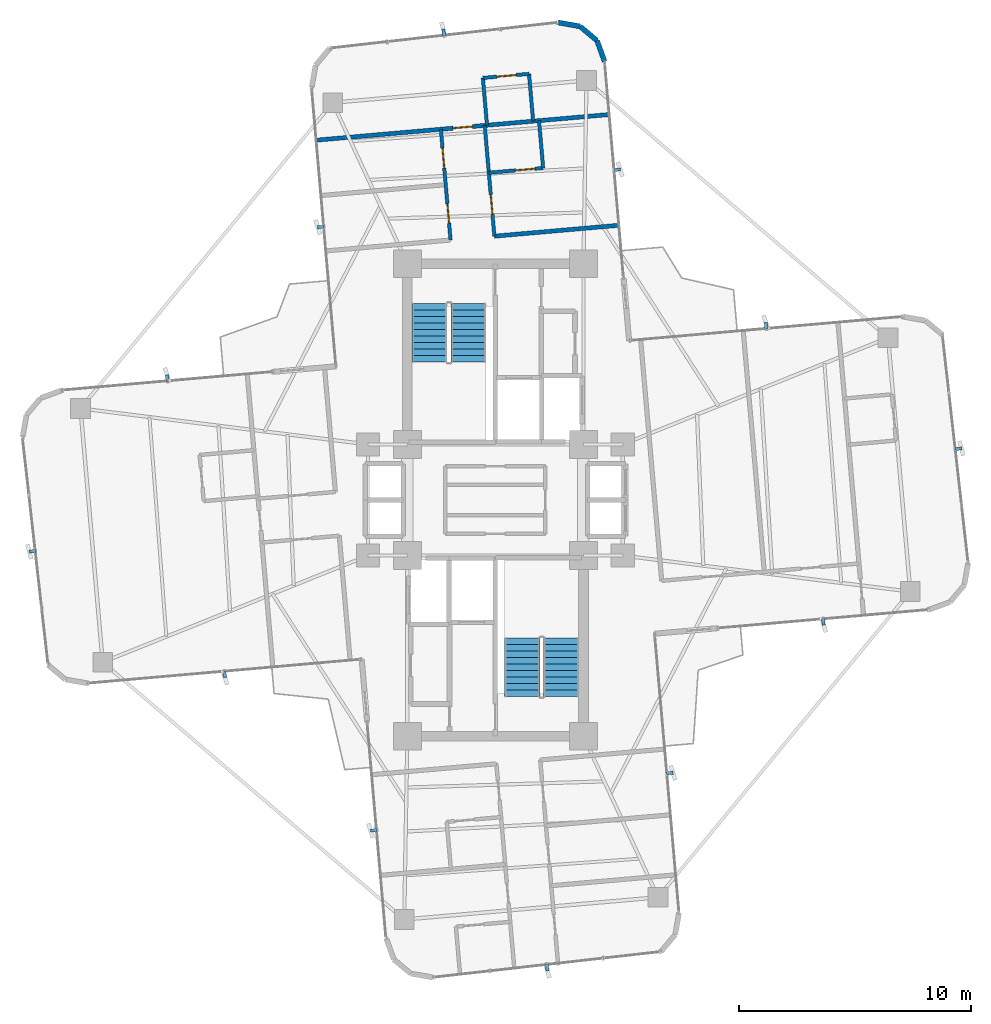
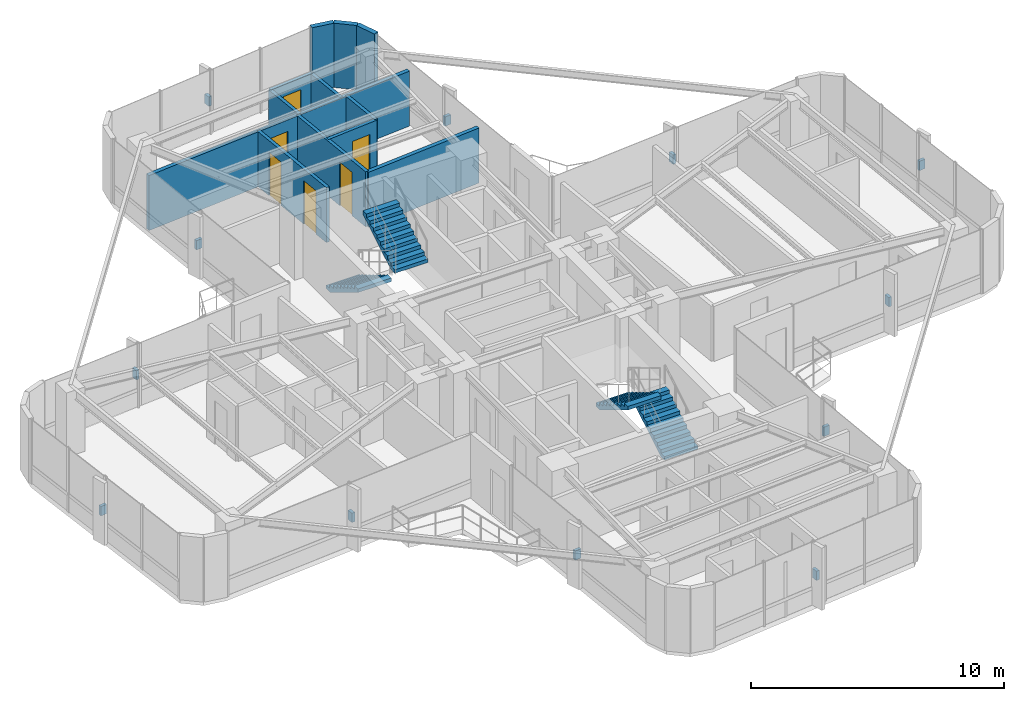
# One storey, part 23 of 24: 12 discrete accessories, 12 walls, 6 doors, 4 stair flights, 6 openings, 2 elements without a shape of their own.
"""IFC4 building model written with IfcOpenShell, lengths in metres."""

from ifc_helpers import new_model, si_unit, direction, frame, frame_2d, origin, origin_2d, place, context, subcontext, project, spatial, polyline, rectangle, outline, extrude, source, transform, mapped, material, layer, layer_set, type_object, element, fill, aggregate, save


model = new_model("IFC4")

# Units and contexts
model_context = context("Model", 3, precision=1e-05, world=origin(), true_north=direction((0.0, 1.0)))
body_context = subcontext(model_context, "Body", "Model", "MODEL_VIEW")
ifc_project = project(units=[si_unit("LENGTHUNIT", "METRE"), si_unit("AREAUNIT", "SQUARE_METRE"), si_unit("VOLUMEUNIT", "CUBIC_METRE"), si_unit("PLANEANGLEUNIT", "RADIAN"), si_unit("MASSUNIT", "GRAM", prefix="KILO")], contexts=[model_context])

# Site, building, storey
site_placement = place(None, origin())
site = spatial("IfcSite", under=ifc_project, at=site_placement, CompositionType="ELEMENT")
building_placement = place(site_placement, origin())
building = spatial("IfcBuilding", under=site, at=building_placement, Name="Sahyath Konkavel Grand Hotel", CompositionType="ELEMENT")
storey_placement = place(building_placement, frame((0.0, 0.0, 157.300048828125)))
storey = spatial("IfcBuildingStorey", under=building, at=storey_placement, Name="L43", CompositionType="ELEMENT", Elevation=157.300048828125)

# Walls
ifc_material_1 = material(Name="Warm Buff Sandstone Insulated Concrete C40/50", Category="masonry")
ifc_layer_1 = layer(ifc_material_1, 0.219970703125)
ifc_layer_set_1 = layer_set([ifc_layer_1], Name="Warm Buff Sandstone Insulated Concrete C40/50")
wall_type_1 = type_object("IfcWallType", Name="WLL-BALC-THRESH", PredefinedType="STANDARD", material=ifc_layer_set_1)
wall_1_placement = place(storey_placement, frame((4.7177734375, 18.93310546875, 0.0), z_axis=(0.0, 0.0, 1.0), x_axis=(-0.34188635151, 0.939741306239, 0.0)))
element("IfcWall", 1, at=wall_1_placement, inside=storey, type_object=wall_type_1, Name="L43 Rounded Corner Sandstone Pier 9", PredefinedType="STANDARD", context=body_context, shape_type="SweptSolid", body=[
    extrude(rectangle(XDim=0.95751953125, YDim=0.219970703125, at=frame_2d((0.478759765625, 0.0))), origin(), (0.0, 0.0, 1.0), 3.10986328125),
])
for number, where, z_axis, x_axis, name in (
    (2, (4.390380859375, 19.8330078125, 0.0), (0.0, 0.0, 1.0), (-0.765980978054, 0.642863236823, 0.0), "L43 Rounded Corner Sandstone Pier 10"),
    (3, (3.65673828125, 20.44873046875, 0.0), (0.0, 0.0, 1.0), (-0.984814340885, 0.173610811841, 0.0), "L43 Rounded Corner Sandstone Pier 11"),
):
    element("IfcWall", number, at=place(storey_placement, frame(where, z_axis=z_axis, x_axis=x_axis)), inside=storey, type_object=wall_type_1, Name=name, PredefinedType="STANDARD", context=body_context, shape_type="SweptSolid", body=[
        extrude(rectangle(XDim=0.957763671875, YDim=0.219970703125, at=frame_2d((0.47900390625, 0.0))), origin(), (0.0, 0.0, 1.0), 3.10986328125),
    ])
ifc_material_2 = material(Name="Twin-Stud Acoustic Gypsum Plasterboard Partition")
ifc_layer_2 = layer(ifc_material_2, 0.179931640625)
ifc_layer_set_2 = layer_set([ifc_layer_2], Name="Twin-Stud Acoustic Gypsum Plasterboard Partition")
wall_type_2 = type_object("IfcWallType", Name="WLL-DEMISE-180", PredefinedType="PARTITIONING", material=ifc_layer_set_2)
wall_2_placement = place(storey_placement, frame((5.286865234375, 11.85595703125, 0.0), z_axis=(0.0, 0.0, 1.0), x_axis=(-0.996194212812, -0.087161289348, 0.0)))
element("IfcWall", 4, at=wall_2_placement, inside=storey, type_object=wall_type_2, Name="L43 Partition N-INR", PredefinedType="PARTITIONING", context=body_context, shape_type="SweptSolid", body=[
    extrude(rectangle(XDim=5.349853515625, YDim=0.179931640625, at=frame_2d((2.6748046875, 0.0))), origin(), (0.0, 0.0, 1.0), 2.659912109375),
])

# Wall, opening, door
wall_3_placement = place(storey_placement, frame((4.868408203125, 16.6376953125, 0.0), z_axis=(0.0, 0.0, 1.0), x_axis=(-0.996194790044, -0.087154691724, 0.0)))
wall_3 = element("IfcWall", 5, at=wall_3_placement, inside=storey, type_object=wall_type_2, Name="L43 Partition N-NTIP-END", PredefinedType="PARTITIONING", context=body_context, shape_type="SweptSolid", body=[
    extrude(rectangle(XDim=12.599853515625, YDim=0.179931640625, at=frame_2d((6.2998046875, 0.0))), origin(), (0.0, 0.0, 1.0), 2.659912109375),
])
opening_1_placement = place(wall_3_placement, frame((5.875, 0.0, 0.0)))
opening_1 = element("IfcOpeningElement", 6, at=opening_1_placement, cuts=wall_3, Name="Opening D-F06D", PredefinedType="OPENING", context=body_context, shape_type="SweptSolid", body=[
    extrude(rectangle(XDim=0.85009765625, YDim=2.10009765625, at=frame_2d((0.425048828125, 1.050048828125))), frame((0.0, 0.10009765625, 0.0), z_axis=(0.0, -1.0, 0.0), x_axis=(1.0, 0.0, 0.0)), (0.0, 0.0, 1.0), 0.199951171875),
])
ifc_material_3 = material(Name="Fire-Rated Shaft Access Door")
door_type_1 = type_object("IfcDoorType", Name="DR-FD60-850", OperationType="NOTDEFINED", PredefinedType="DOOR", material=ifc_material_3)
shared_shape_1 = source(origin(), body_context, "Body", "SweptSolid", [
    extrude(rectangle(XDim=0.85009765625, YDim=0.050048828125, at=origin_2d()), origin(), (0.0, 0.0, 1.0), 2.10009765625),
])
door_1_placement = place(opening_1_placement, frame((0.425048828125, 0.0, 0.0)))
door_1 = element("IfcDoor", 7, at=door_1_placement, inside=storey, type_object=door_type_1, Name="L43 Door N-NTIP-ED", OperationType="SINGLE_SWING_LEFT", OverallHeight=2.10009765625, OverallWidth=0.85009765625, PredefinedType="DOOR", context=body_context, shape_type="MappedRepresentation", body=[
    mapped(shared_shape_1, transform((0.0, 0.0, 0.0), scale=1.0)),
])
fill(opening_1, door_1)

# Wall, openings, doors
ifc_material_4 = material(Name="Fire-Rated Gypsum Plasterboard Partition")
ifc_layer_3 = layer(ifc_material_4, 0.14990234375)
ifc_layer_set_3 = layer_set([ifc_layer_3], Name="Fire-Rated Gypsum Plasterboard Partition")
wall_type_3 = type_object("IfcWallType", Name="WLL-PART-150", PredefinedType="PARTITIONING", material=ifc_layer_set_3)
wall_4_placement = place(storey_placement, frame((-1.935546875, 11.22412109375, 0.0), z_axis=(0.0, 0.0, 1.0), x_axis=(-0.087182724829, 0.996192337097, 0.0)))
wall_4 = element("IfcWall", 8, at=wall_4_placement, inside=storey, type_object=wall_type_3, Name="L43 Partition N-CL", PredefinedType="PARTITIONING", context=body_context, shape_type="SweptSolid", body=[
    extrude(rectangle(XDim=4.7998046875, YDim=0.14990234375, at=frame_2d((2.39990234375, 0.0))), origin(), (0.0, 0.0, 1.0), 2.659912109375),
])
opening_2_placement = place(wall_4_placement, frame((0.72509765625, 0.0, 0.0)))
opening_2 = element("IfcOpeningElement", 9, at=opening_2_placement, cuts=wall_4, Name="Opening D-F06D", PredefinedType="OPENING", context=body_context, shape_type="SweptSolid", body=[
    extrude(rectangle(XDim=0.85009765625, YDim=2.10009765625, at=frame_2d((0.425048828125, 1.050048828125))), frame((0.0, 0.0849609375, 0.0), z_axis=(0.0, -1.0, 0.0), x_axis=(1.0, 0.0, 0.0)), (0.0, 0.0, 1.0), 0.169921875),
])
opening_3_placement = place(wall_4_placement, frame((3.125, 0.0, 0.0)))
opening_3 = element("IfcOpeningElement", 10, at=opening_3_placement, cuts=wall_4, Name="Opening D-F06D", PredefinedType="OPENING", context=body_context, shape_type="SweptSolid", body=[
    extrude(rectangle(XDim=0.85009765625, YDim=2.10009765625, at=frame_2d((0.425048828125, 1.050048828125))), frame((0.0, 0.0849609375, 0.0), z_axis=(0.0, -1.0, 0.0), x_axis=(1.0, 0.0, 0.0)), (0.0, 0.0, 1.0), 0.169921875),
])
door_2_placement = place(opening_2_placement, frame((0.425048828125, 0.0, 0.0)))
door_2 = element("IfcDoor", 11, at=door_2_placement, inside=storey, type_object=door_type_1, Name="L43 Door N-N4L1-D", OperationType="SINGLE_SWING_RIGHT", OverallHeight=2.10009765625, OverallWidth=0.85009765625, PredefinedType="DOOR", context=body_context, shape_type="MappedRepresentation", body=[
    mapped(shared_shape_1, transform((0.0, 0.0, 0.0), scale=1.0)),
])
fill(opening_2, door_2)
door_3_placement = place(opening_3_placement, frame((0.425048828125, 0.0, 0.0)))
door_3 = element("IfcDoor", 12, at=door_3_placement, inside=storey, type_object=door_type_1, Name="L43 Door N-N4L2-D", OperationType="SINGLE_SWING_LEFT", OverallHeight=2.10009765625, OverallWidth=0.85009765625, PredefinedType="DOOR", context=body_context, shape_type="MappedRepresentation", body=[
    mapped(shared_shape_1, transform((0.0, 0.0, 0.0), scale=1.0)),
])
fill(opening_3, door_3)

# Wall, opening, door
wall_5_placement = place(storey_placement, frame((-0.042724609375, 11.3896484375, 0.0), z_axis=(0.0, 0.0, 1.0), x_axis=(-0.087178307383, 0.996192723684, 0.0)))
wall_5 = element("IfcWall", 13, at=wall_5_placement, inside=storey, type_object=wall_type_3, Name="L43 Partition N-CR", PredefinedType="PARTITIONING", context=body_context, shape_type="SweptSolid", body=[
    extrude(rectangle(XDim=4.800048828125, YDim=0.14990234375, at=frame_2d((2.39990234375, 0.0))), origin(), (0.0, 0.0, 1.0), 2.659912109375),
])
opening_4_placement = place(wall_5_placement, frame((0.949951171875, 0.0, 0.0)))
opening_4 = element("IfcOpeningElement", 14, at=opening_4_placement, cuts=wall_5, Name="Opening D-F06D", PredefinedType="OPENING", context=body_context, shape_type="SweptSolid", body=[
    extrude(rectangle(XDim=0.85009765625, YDim=2.10009765625, at=frame_2d((0.425048828125, 1.050048828125))), frame((0.0, 0.0849609375, 0.0), z_axis=(0.0, -1.0, 0.0), x_axis=(1.0, 0.0, 0.0)), (0.0, 0.0, 1.0), 0.169921875),
])
door_4_placement = place(opening_4_placement, frame((0.425048828125, 0.0, 0.0)))
door_4 = element("IfcDoor", 15, at=door_4_placement, inside=storey, type_object=door_type_1, Name="L43 Door N-N4R1-ED", OperationType="SINGLE_SWING_LEFT", OverallHeight=2.10009765625, OverallWidth=0.85009765625, PredefinedType="DOOR", context=body_context, shape_type="MappedRepresentation", body=[
    mapped(shared_shape_1, transform((0.0, 0.0, 0.0), scale=1.0)),
])
fill(opening_4, door_4)

wall_6_placement = place(storey_placement, frame((-0.282470703125, 14.129150390625, 0.0), z_axis=(0.0, 0.0, 1.0), x_axis=(0.996197656711, 0.087121918963, 0.0)))
wall_6 = element("IfcWall", 16, at=wall_6_placement, inside=storey, type_object=wall_type_3, Name="L43 Partition N-N4R1-BS", PredefinedType="PARTITIONING", context=body_context, shape_type="SweptSolid", body=[
    extrude(rectangle(XDim=2.35400390625, YDim=0.14990234375, at=frame_2d((1.177001953125, 0.0))), origin(), (0.0, 0.0, 1.0), 2.659912109375),
])
opening_5_placement = place(wall_6_placement, frame((1.154052734375, 0.0, 0.0)))
opening_5 = element("IfcOpeningElement", 17, at=opening_5_placement, cuts=wall_6, Name="Opening D-BT85", PredefinedType="OPENING", context=body_context, shape_type="SweptSolid", body=[
    extrude(rectangle(XDim=0.85009765625, YDim=2.10009765625, at=frame_2d((0.425048828125, 1.050048828125))), frame((0.0, 0.0849609375, 0.0), z_axis=(0.0, -1.0, 0.0), x_axis=(1.0, 0.0, 0.0)), (0.0, 0.0, 1.0), 0.169921875),
])
ifc_material_5 = material(Name="Moisture-Resistant Teak Bathroom Door")
door_type_2 = type_object("IfcDoorType", Name="DR-BATH-850", OperationType="NOTDEFINED", PredefinedType="DOOR", material=ifc_material_5)
door_5_placement = place(opening_5_placement, frame((0.425048828125, 0.0, 0.0)))
door_5 = element("IfcDoor", 18, at=door_5_placement, inside=storey, type_object=door_type_2, Name="L43 Door N-N4R1-BD", OperationType="SINGLE_SWING_RIGHT", OverallHeight=2.10009765625, OverallWidth=0.85009765625, PredefinedType="DOOR", context=body_context, shape_type="MappedRepresentation", body=[
    mapped(shared_shape_1, transform((0.0, 0.0, 0.0), scale=1.0)),
])
fill(opening_5, door_5)

# Walls
for number, where, z_axis, x_axis, name in (
    (19, (2.0625, 14.334228515625, 0.0), (0.0, 0.0, 1.0), (-0.087174336889, 0.99619307114, 0.0), "L43 Partition N-N4R1-BF"),
    (20, (-0.361572265625, 16.18017578125, 0.0), (0.0, 0.0, 1.0), (-0.087174336889, 0.99619307114, 0.0), "L43 Partition N-NTIP-BN"),
):
    element("IfcWall", number, at=place(storey_placement, frame(where, z_axis=z_axis, x_axis=x_axis)), inside=storey, type_object=wall_type_3, Name=name, PredefinedType="PARTITIONING", context=body_context, shape_type="SweptSolid", body=[
        extrude(rectangle(XDim=2.050048828125, YDim=0.14990234375, at=frame_2d((1.02490234375, 0.0))), origin(), (0.0, 0.0, 1.0), 2.659912109375),
    ])
wall_7_placement = place(storey_placement, frame((1.630859375, 16.3544921875, 0.0), z_axis=(0.0, 0.0, 1.0), x_axis=(-0.087184680235, 0.996192165966, 0.0)))
element("IfcWall", 21, at=wall_7_placement, inside=storey, type_object=wall_type_3, Name="L43 Partition N-NTIP-BS", PredefinedType="PARTITIONING", context=body_context, shape_type="SweptSolid", body=[
    extrude(rectangle(XDim=2.0498046875, YDim=0.14990234375, at=frame_2d((1.02490234375, 0.0))), origin(), (0.0, 0.0, 1.0), 2.659912109375),
])

# Wall, opening, door
wall_8_placement = place(storey_placement, frame((1.4521484375, 18.396484375, 0.0), z_axis=(0.0, 0.0, 1.0), x_axis=(-0.996205236158, -0.087035208109, 0.0)))
wall_8 = element("IfcWall", 22, at=wall_8_placement, inside=storey, type_object=wall_type_3, Name="L43 Partition N-NTIP-BE", PredefinedType="PARTITIONING", context=body_context, shape_type="SweptSolid", body=[
    extrude(rectangle(XDim=2.0, YDim=0.14990234375, at=frame_2d((1.0, 0.0))), origin(), (0.0, 0.0, 1.0), 2.659912109375),
])
opening_6_placement = place(wall_8_placement, frame((0.550048828125, 0.0, 0.0)))
opening_6 = element("IfcOpeningElement", 23, at=opening_6_placement, cuts=wall_8, Name="Opening D-BT85", PredefinedType="OPENING", context=body_context, shape_type="SweptSolid", body=[
    extrude(rectangle(XDim=0.85009765625, YDim=2.10009765625, at=frame_2d((0.425048828125, 1.050048828125))), frame((0.0, 0.0849609375, 0.0), z_axis=(0.0, -1.0, 0.0), x_axis=(1.0, 0.0, 0.0)), (0.0, 0.0, 1.0), 0.169921875),
])
door_6_placement = place(opening_6_placement, frame((0.425048828125, 0.0, 0.0)))
door_6 = element("IfcDoor", 24, at=door_6_placement, inside=storey, type_object=door_type_2, Name="L43 Door N-NTIP-BD", OperationType="SINGLE_SWING_RIGHT", OverallHeight=2.10009765625, OverallWidth=0.85009765625, PredefinedType="DOOR", context=body_context, shape_type="MappedRepresentation", body=[
    mapped(shared_shape_1, transform((0.0, 0.0, 0.0), scale=1.0)),
])
fill(opening_6, door_6)

# Stair, stair flights
ifc_material_6 = material(Name="Concrete C40/50", Category="concrete")
stair_type = type_object("IfcStairType", Name="STR-ST16-335", PredefinedType="HALF_TURN_STAIR", material=ifc_material_6)
stair_1_placement = place(storey_placement, origin())
stair_1 = element("IfcStair", 25, at=stair_1_placement, inside=storey, type_object=stair_type, Name="L43 North Core Smokeproof Exit Stair ST-1", PredefinedType="HALF_TURN_STAIR")
stair_flight_type = type_object("IfcStairFlightType", Name="STF-ST16-335", PredefinedType="STRAIGHT", material=ifc_material_6)
stair_flight_1_placement = place(storey_placement, frame((-2.840087890625, 8.47998046875, 0.0), z_axis=(0.0, 0.0, 1.0), x_axis=(0.0, -1.0, 0.0)))
stair_flight_1 = element("IfcStairFlight", 26, at=stair_flight_1_placement, type_object=stair_flight_type, Name="ST-1 flight 1", NumberOfRisers=10, NumberOfTreads=9, PredefinedType="STRAIGHT", RiserHeight=0.1675, TreadLength=0.28, context=body_context, shape_type="SweptSolid", body=[
    extrude(outline(polyline([(0.0, 0.0), (0.0, 0.16748046875), (0.280029296875, 0.16748046875), (0.280029296875, 0.3349609375), (0.56005859375, 0.3349609375), (0.56005859375, 0.50244140625), (0.840087890625, 0.50244140625), (0.840087890625, 0.669921875), (1.1201171875, 0.669921875), (1.1201171875, 0.83740234375), (1.39990234375, 0.83740234375), (1.39990234375, 1.0048828125), (1.679931640625, 1.0048828125), (1.679931640625, 1.172607421875), (1.9599609375, 1.172607421875), (1.9599609375, 1.340087890625), (2.239990234375, 1.340087890625), (2.239990234375, 1.507568359375), (2.52001953125, 1.507568359375), (2.52001953125, 1.675048828125), (2.52001953125, 1.332763671875), (0.2919921875, 0.0), (0.0, 0.0)])), frame((0.0, 0.760009765625, 0.0), z_axis=(0.0, -1.0, 0.0), x_axis=(1.0, 0.0, 0.0)), (0.0, 0.0, 1.0), 1.52001953125),
])
stair_flight_2_placement = place(storey_placement, frame((-1.159912109375, 5.9599609375, 1.675048828125), z_axis=(0.0, 0.0, 1.0), x_axis=(0.0, 1.0, 0.0)))
stair_flight_2 = element("IfcStairFlight", 27, at=stair_flight_2_placement, type_object=stair_flight_type, Name="ST-1 flight 2", NumberOfRisers=10, NumberOfTreads=9, PredefinedType="STRAIGHT", RiserHeight=0.1675, TreadLength=0.28, context=body_context, shape_type="SweptSolid", body=[
    extrude(outline(polyline([(0.0, 0.0), (0.0, 0.16748046875), (0.280029296875, 0.16748046875), (0.280029296875, 0.3349609375), (0.56005859375, 0.3349609375), (0.56005859375, 0.50244140625), (0.840087890625, 0.50244140625), (0.840087890625, 0.669921875), (1.1201171875, 0.669921875), (1.1201171875, 0.83740234375), (1.39990234375, 0.83740234375), (1.39990234375, 1.0048828125), (1.679931640625, 1.0048828125), (1.679931640625, 1.172607421875), (1.9599609375, 1.172607421875), (1.9599609375, 1.340087890625), (2.239990234375, 1.340087890625), (2.239990234375, 1.507568359375), (2.52001953125, 1.507568359375), (2.52001953125, 1.675048828125), (2.52001953125, 1.332763671875), (0.2919921875, 0.0), (0.0, 0.0)])), frame((0.0, 0.760009765625, 0.0), z_axis=(0.0, -1.0, 0.0), x_axis=(1.0, 0.0, 0.0)), (0.0, 0.0, 1.0), 1.52001953125),
])
aggregate(stair_1, [stair_flight_1, stair_flight_2])

stair_2_placement = place(storey_placement, origin())
stair_2 = element("IfcStair", 28, at=stair_2_placement, inside=storey, type_object=stair_type, Name="L43 South Core Smokeproof Exit Stair ST-2", PredefinedType="HALF_TURN_STAIR")
stair_flight_3_placement = place(storey_placement, frame((2.840087890625, -8.47998046875, 0.0), z_axis=(0.0, 0.0, 1.0), x_axis=(0.0, 1.0, 0.0)))
stair_flight_3 = element("IfcStairFlight", 29, at=stair_flight_3_placement, type_object=stair_flight_type, Name="ST-2 flight 1", NumberOfRisers=10, NumberOfTreads=9, PredefinedType="STRAIGHT", RiserHeight=0.1675, TreadLength=0.28, context=body_context, shape_type="SweptSolid", body=[
    extrude(outline(polyline([(0.0, 0.0), (0.0, 0.16748046875), (0.280029296875, 0.16748046875), (0.280029296875, 0.3349609375), (0.56005859375, 0.3349609375), (0.56005859375, 0.50244140625), (0.840087890625, 0.50244140625), (0.840087890625, 0.669921875), (1.1201171875, 0.669921875), (1.1201171875, 0.83740234375), (1.39990234375, 0.83740234375), (1.39990234375, 1.0048828125), (1.679931640625, 1.0048828125), (1.679931640625, 1.172607421875), (1.9599609375, 1.172607421875), (1.9599609375, 1.340087890625), (2.239990234375, 1.340087890625), (2.239990234375, 1.507568359375), (2.52001953125, 1.507568359375), (2.52001953125, 1.675048828125), (2.52001953125, 1.332763671875), (0.2919921875, 0.0), (0.0, 0.0)])), frame((0.0, 0.760009765625, 0.0), z_axis=(0.0, -1.0, 0.0), x_axis=(1.0, 0.0, 0.0)), (0.0, 0.0, 1.0), 1.52001953125),
])
stair_flight_4_placement = place(storey_placement, frame((1.159912109375, -5.9599609375, 1.675048828125), z_axis=(0.0, 0.0, 1.0), x_axis=(0.0, -1.0, 0.0)))
stair_flight_4 = element("IfcStairFlight", 30, at=stair_flight_4_placement, type_object=stair_flight_type, Name="ST-2 flight 2", NumberOfRisers=10, NumberOfTreads=9, PredefinedType="STRAIGHT", RiserHeight=0.1675, TreadLength=0.28, context=body_context, shape_type="SweptSolid", body=[
    extrude(outline(polyline([(0.0, 0.0), (0.0, 0.16748046875), (0.280029296875, 0.16748046875), (0.280029296875, 0.3349609375), (0.56005859375, 0.3349609375), (0.56005859375, 0.50244140625), (0.840087890625, 0.50244140625), (0.840087890625, 0.669921875), (1.1201171875, 0.669921875), (1.1201171875, 0.83740234375), (1.39990234375, 0.83740234375), (1.39990234375, 1.0048828125), (1.679931640625, 1.0048828125), (1.679931640625, 1.172607421875), (1.9599609375, 1.172607421875), (1.9599609375, 1.340087890625), (2.239990234375, 1.340087890625), (2.239990234375, 1.507568359375), (2.52001953125, 1.507568359375), (2.52001953125, 1.675048828125), (2.52001953125, 1.332763671875), (0.2919921875, 0.0), (0.0, 0.0)])), frame((0.0, 0.760009765625, 0.0), z_axis=(0.0, -1.0, 0.0), x_axis=(1.0, 0.0, 0.0)), (0.0, 0.0, 1.0), 1.52001953125),
])
aggregate(stair_2, [stair_flight_3, stair_flight_4])

# Discrete accessories
ifc_material_7 = material(Name="Steel E350", Category="steel")
discrete_accessory_type = type_object("IfcDiscreteAccessoryType", Name="ACC-FIN-BRACKET", PredefinedType="BRACKET", material=ifc_material_7)
shared_shape_2 = source(origin(), body_context, "Body", "SweptSolid", [
    extrude(rectangle(XDim=0.280029296875, YDim=0.139892578125, at=origin_2d()), origin(), (0.0, 0.0, 1.0), 0.449951171875),
])
for number, where, z_axis, x_axis, name in (
    (31, (14.162841796875, -5.265625, 1.330078125), (0.0, 0.0, 1.0), (0.087155742748, -0.996194698092, 0.0), "L43 Fin Support Bracket F0-1"),
    (32, (19.989013671875, 2.21630859375, 1.330078125), (0.0, 0.0, 1.0), (0.993709417943, 0.111989252568, 0.0), "L43 Fin Support Bracket F4-2"),
    (33, (11.6884765625, 7.52734375, 1.330078125), (0.0, 0.0, 1.0), (-0.087155742748, 0.996194698092, 0.0), "L43 Fin Support Bracket F7-1"),
    (34, (5.2568359375, 14.262451171875, 1.330078125), (0.0, 0.0, 1.0), (0.996194698092, 0.087155742748, 0.0), "L43 Fin Support Bracket F8-1"),
    (35, (-2.23388671875, 20.188232421875, 1.330078125), (0.0, 0.0, 1.0), (-0.112006596052, 0.993707463211, 0.0), "L43 Fin Support Bracket F12-2"),
    (36, (-7.5361328125, 11.7880859375, 1.330078125), (0.0, 0.0, 1.0), (-0.996194698092, -0.087155742748, 0.0), "L43 Fin Support Bracket F15-1"),
    (37, (-14.162841796875, 5.265625, 1.330078125), (0.0, 0.0, 1.0), (-0.087155742748, 0.996194698092, 0.0), "L43 Fin Support Bracket F16-1"),
    (38, (-19.989013671875, -2.21630859375, 1.330078125), (0.0, 0.0, 1.0), (-0.993709417943, -0.111989252568, 0.0), "L43 Fin Support Bracket F20-2"),
    (39, (-11.6884765625, -7.52734375, 1.330078125), (0.0, 0.0, 1.0), (0.087155742748, -0.996194698092, 0.0), "L43 Fin Support Bracket F23-1"),
    (40, (-5.2568359375, -14.262451171875, 1.330078125), (0.0, 0.0, 1.0), (-0.996194698092, -0.087155742748, 0.0), "L43 Fin Support Bracket F24-1"),
    (41, (2.23388671875, -20.188232421875, 1.330078125), (0.0, 0.0, 1.0), (0.112006596052, -0.993707463211, 0.0), "L43 Fin Support Bracket F28-2"),
    (42, (7.5361328125, -11.7880859375, 1.330078125), (0.0, 0.0, 1.0), (0.996194698092, 0.087155742748, 0.0), "L43 Fin Support Bracket F31-1"),
):
    element("IfcDiscreteAccessory", number, at=place(storey_placement, frame(where, z_axis=z_axis, x_axis=x_axis)), inside=storey, type_object=discrete_accessory_type, Name=name, PredefinedType="BRACKET", context=body_context, shape_type="MappedRepresentation", body=[
        mapped(shared_shape_2, transform((0.0, 0.0, 0.0), scale=1.0)),
    ])

save(model, "model.ifc")
